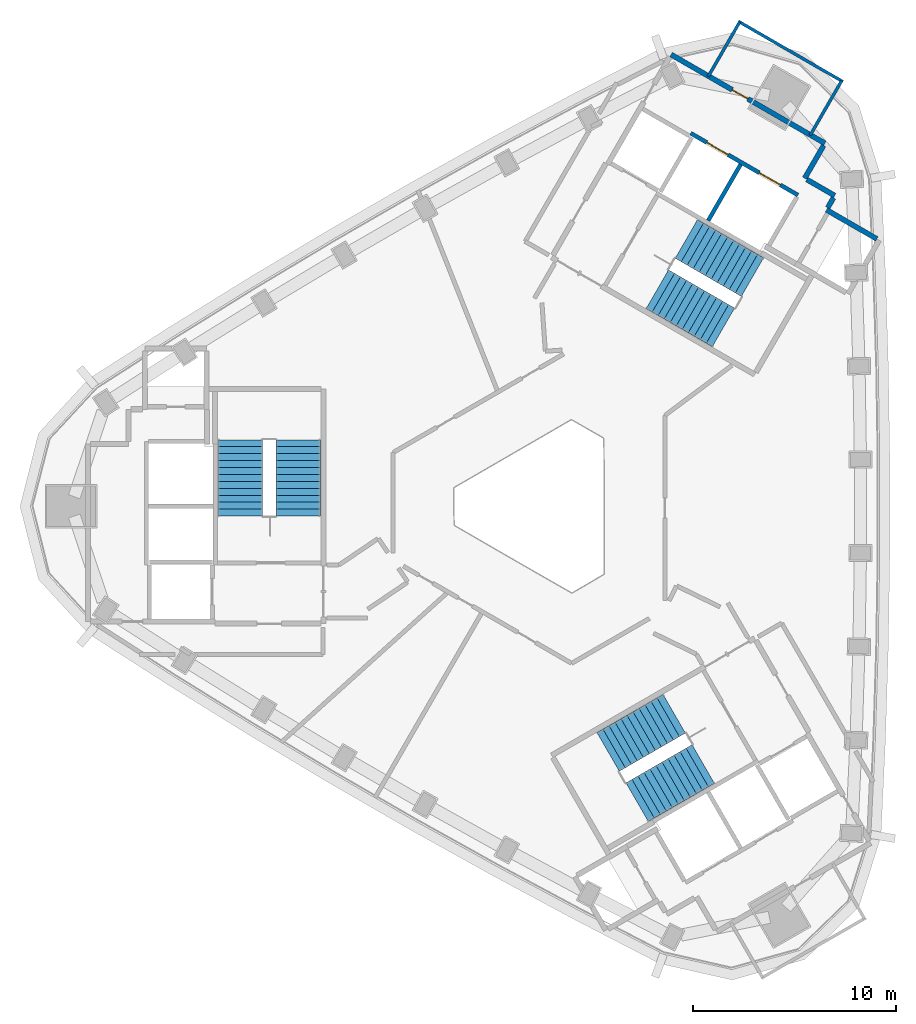
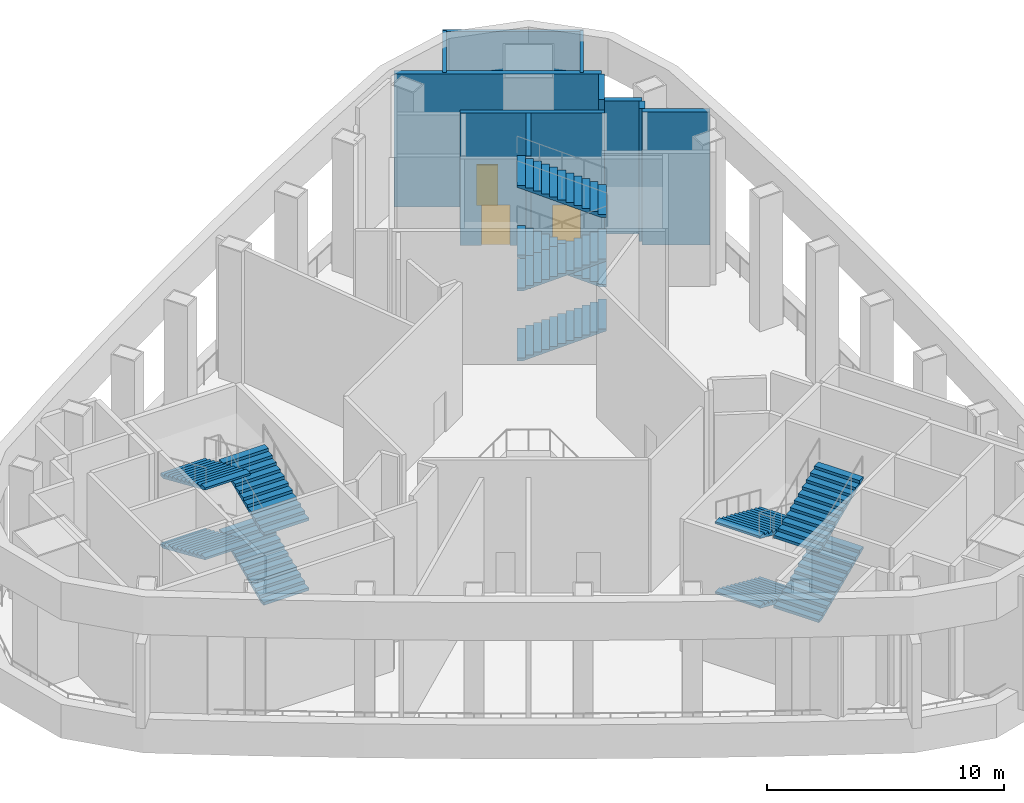
# One storey, part 5 of 8: 12 stair flights, 10 walls, 3 doors, 3 openings, 3 elements without a shape of their own.
"""IFC4 building model written with IfcOpenShell, lengths in metres."""

from ifc_helpers import new_model, si_unit, direction, frame, frame_2d, origin, place, context, subcontext, project, spatial, polyline, rectangle, outline, extrude, material, layer, layer_set, type_object, element, fill, aggregate, save


model = new_model("IFC4")

# Units and contexts
model_context = context("Model", 3, precision=1e-05, world=origin(), true_north=direction((0.0, 1.0)))
body_context = subcontext(model_context, "Body", "Model", "MODEL_VIEW")
ifc_project = project(units=[si_unit("LENGTHUNIT", "METRE"), si_unit("AREAUNIT", "SQUARE_METRE"), si_unit("VOLUMEUNIT", "CUBIC_METRE"), si_unit("PLANEANGLEUNIT", "RADIAN"), si_unit("MASSUNIT", "GRAM", prefix="KILO")], contexts=[model_context])

# Site, building, storey
site_placement = place(None, origin())
site = spatial("IfcSite", under=ifc_project, at=site_placement, CompositionType="ELEMENT")
building_placement = place(site_placement, origin())
building = spatial("IfcBuilding", under=site, at=building_placement, Name="Tamra Quay Hotel Tower", CompositionType="ELEMENT")
storey_placement = place(building_placement, frame((0.0, 0.0, 283.800048828125)))
storey = spatial("IfcBuildingStorey", under=building, at=storey_placement, Name="L72", CompositionType="ELEMENT", Elevation=283.800048828125)

# Wall, openings, doors
ifc_material_1 = material(Name="Concrete M70", Category="concrete")
ifc_layer_1 = layer(ifc_material_1, 0.199951171875)
ifc_layer_set_1 = layer_set([ifc_layer_1], Name="Concrete M70 core wall 200")
wall_type_1 = type_object("IfcWallType", Name="Concrete M70 core wall 200", PredefinedType="SHEAR", material=ifc_layer_set_1)
wall_1_placement = place(storey_placement, frame((12.552490234375, 15.341552734375, 0.0), z_axis=(0.0, 0.0, 1.0), x_axis=(-0.866030299012, 0.499991521122, 0.0)))
wall_1 = element("IfcWall", 1, at=wall_1_placement, inside=storey, type_object=wall_type_1, Name="CW2", PredefinedType="SHEAR", context=body_context, shape_type="SweptSolid", body=[
    extrude(rectangle(XDim=6.10009765625, YDim=0.199951171875, at=frame_2d((3.050048828125, 0.0))), origin(), (0.0, 0.0, 1.0), 6.849853515625),
])
opening_1_placement = place(wall_1_placement, frame((1.0, 0.0, 0.0)))
opening_1 = element("IfcOpeningElement", 2, at=opening_1_placement, cuts=wall_1, Name="Opening LD", PredefinedType="OPENING", context=body_context, shape_type="SweptSolid", body=[
    extrude(rectangle(XDim=1.199951171875, YDim=2.10009765625, at=frame_2d((0.60009765625, 1.050048828125))), frame((0.0, 0.10986328125, 0.0), z_axis=(0.0, -1.0, 0.0), x_axis=(1.0, 0.0, 0.0)), (0.0, 0.0, 1.0), 0.219970703125),
])
opening_2_placement = place(wall_1_placement, frame((3.982177734375, 0.0, 0.0)))
opening_2 = element("IfcOpeningElement", 3, at=opening_2_placement, cuts=wall_1, Name="Opening LD", PredefinedType="OPENING", context=body_context, shape_type="SweptSolid", body=[
    extrude(rectangle(XDim=1.199951171875, YDim=2.10009765625, at=frame_2d((0.60009765625, 1.050048828125))), frame((0.0, 0.10986328125, 0.0), z_axis=(0.0, -1.0, 0.0), x_axis=(1.0, 0.0, 0.0)), (0.0, 0.0, 1.0), 0.219970703125),
])
ifc_material_2 = material(Name="Landing door LD 1200 double door sliding")
door_type_1 = type_object("IfcDoorType", Name="Landing door LD 1200 double door sliding", OperationType="DOUBLE_DOOR_SLIDING", PredefinedType="DOOR", material=ifc_material_2)
door_1_placement = place(opening_1_placement, origin())
door_1 = element("IfcDoor", 4, at=door_1_placement, inside=storey, type_object=door_type_1, Name="LD", OperationType="DOUBLE_DOOR_SLIDING", OverallHeight=2.10009765625, OverallWidth=1.199951171875, PredefinedType="DOOR", context=body_context, shape_type="SweptSolid", body=[
    extrude(rectangle(XDim=1.199951171875, YDim=2.10009765625, at=frame_2d((0.60009765625, 1.050048828125))), frame((0.0, 0.02490234375, 0.0), z_axis=(0.0, -1.0, 0.0), x_axis=(1.0, 0.0, 0.0)), (0.0, 0.0, 1.0), 0.050048828125),
])
fill(opening_1, door_1)
door_2_placement = place(opening_2_placement, origin())
door_2 = element("IfcDoor", 5, at=door_2_placement, inside=storey, type_object=door_type_1, Name="LD", OperationType="DOUBLE_DOOR_SLIDING", OverallHeight=2.10009765625, OverallWidth=1.199951171875, PredefinedType="DOOR", context=body_context, shape_type="SweptSolid", body=[
    extrude(rectangle(XDim=1.199951171875, YDim=2.10009765625, at=frame_2d((0.60009765625, 1.050048828125))), frame((0.0, 0.02490234375, 0.0), z_axis=(0.0, -1.0, 0.0), x_axis=(1.0, 0.0, 0.0)), (0.0, 0.0, 1.0), 0.050048828125),
])
fill(opening_2, door_2)

# Wall
wall_2_placement = place(storey_placement, frame((8.131591796875, 14.08447265625, 0.0), z_axis=(0.0, 0.0, 1.0), x_axis=(0.500030834389, 0.86600760081, 0.0)))
element("IfcWall", 6, at=wall_2_placement, inside=storey, type_object=wall_type_1, Name="CW2", PredefinedType="SHEAR", context=body_context, shape_type="SweptSolid", body=[
    extrude(rectangle(XDim=3.197998046875, YDim=0.199951171875, at=frame_2d((1.59912109375, 0.0))), origin(), (0.0, 0.0, 1.0), 6.849853515625),
])

# Wall, opening, door
ifc_layer_2 = layer(ifc_material_1, 0.25)
ifc_layer_set_2 = layer_set([ifc_layer_2], Name="Concrete M70 core wall 250")
wall_type_2 = type_object("IfcWallType", Name="Concrete M70 core wall 250", PredefinedType="SHEAR", material=ifc_layer_set_2)
wall_3_placement = place(storey_placement, frame((6.303955078125, 22.268798828125, 0.0), z_axis=(0.0, 0.0, 1.0), x_axis=(0.866022959057, -0.500004234368, 0.0)))
wall_3 = element("IfcWall", 7, at=wall_3_placement, inside=storey, type_object=wall_type_2, Name="CW1", PredefinedType="SHEAR", context=body_context, shape_type="SweptSolid", body=[
    extrude(rectangle(XDim=8.75, YDim=0.25, at=frame_2d((4.375, 0.0))), origin(), (0.0, 0.0, 1.0), 6.849853515625),
])
opening_3_placement = place(wall_3_placement, frame((3.47509765625, 0.0, 0.0)))
opening_3 = element("IfcOpeningElement", 8, at=opening_3_placement, cuts=wall_3, Name="Opening D2", PredefinedType="OPENING", context=body_context, shape_type="SweptSolid", body=[
    extrude(rectangle(XDim=0.89990234375, YDim=2.10009765625, at=frame_2d((0.449951171875, 1.050048828125))), frame((0.0, 0.135009765625, 0.0), z_axis=(0.0, -1.0, 0.0), x_axis=(1.0, 0.0, 0.0)), (0.0, 0.0, 1.0), 0.27001953125),
])
ifc_material_3 = material(Name="Core door D2 900x2100 LH")
door_type_2 = type_object("IfcDoorType", Name="Core door D2 900x2100 LH", OperationType="NOTDEFINED", PredefinedType="DOOR", material=ifc_material_3)
door_3_placement = place(opening_3_placement, origin())
door_3 = element("IfcDoor", 9, at=door_3_placement, inside=storey, type_object=door_type_2, Name="D2", OperationType="SINGLE_SWING_LEFT", OverallHeight=2.10009765625, OverallWidth=0.89990234375, PredefinedType="DOOR", context=body_context, shape_type="SweptSolid", body=[
    extrude(rectangle(XDim=0.89990234375, YDim=2.10009765625, at=frame_2d((0.449951171875, 1.050048828125))), frame((0.0, 0.02490234375, 0.0), z_axis=(0.0, -1.0, 0.0), x_axis=(1.0, 0.0, 0.0)), (0.0, 0.0, 1.0), 0.050048828125),
])
fill(opening_3, door_3)

# Walls
wall_4_placement = place(storey_placement, frame((13.962646484375, 14.61376953125, 0.0), z_axis=(0.0, 0.0, 1.0), x_axis=(0.866042235819, -0.499970844928, 0.0)))
element("IfcWall", 10, at=wall_4_placement, inside=storey, type_object=wall_type_2, Name="CW1", PredefinedType="SHEAR", context=body_context, shape_type="SweptSolid", body=[
    extrude(rectangle(XDim=2.864501953125, YDim=0.25, at=frame_2d((1.43212890625, 0.0))), origin(), (0.0, 0.0, 1.0), 6.849853515625),
])
wall_5_placement = place(storey_placement, frame((13.819091796875, 17.78515625, 0.0), z_axis=(0.0, 0.0, 1.0), x_axis=(-0.500039802285, -0.866002422705, 0.0)))
element("IfcWall", 11, at=wall_5_placement, inside=storey, type_object=wall_type_2, Name="CW1", PredefinedType="SHEAR", context=body_context, shape_type="SweptSolid", body=[
    extrude(rectangle(XDim=1.864501953125, YDim=0.25, at=frame_2d((0.93212890625, 0.0))), origin(), (0.0, 0.0, 1.0), 6.849853515625),
])
wall_6_placement = place(storey_placement, frame((12.995361328125, 16.107666015625, 0.0), z_axis=(0.0, 0.0, 1.0), x_axis=(0.866044474677, -0.49996696679, 0.0)))
element("IfcWall", 12, at=wall_6_placement, inside=storey, type_object=wall_type_2, Name="CW1", PredefinedType="SHEAR", context=body_context, shape_type="SweptSolid", body=[
    extrude(rectangle(XDim=1.58447265625, YDim=0.25, at=frame_2d((0.792236328125, 0.0))), origin(), (0.0, 0.0, 1.0), 6.849853515625),
])
wall_7_placement = place(storey_placement, frame((14.304931640625, 15.206787109375, 0.0), z_axis=(0.0, 0.0, 1.0), x_axis=(-0.499848422343, -0.866112899501, 0.0)))
element("IfcWall", 13, at=wall_7_placement, inside=storey, type_object=wall_type_2, Name="CW1", PredefinedType="SHEAR", context=body_context, shape_type="SweptSolid", body=[
    extrude(rectangle(XDim=0.559326171875, YDim=0.25, at=frame_2d((0.27978515625, 0.0))), origin(), (0.0, 0.0, 1.0), 6.849853515625),
])
ifc_material_4 = material(Name="Blockwork", Category="masonry")
ifc_layer_3 = layer(ifc_material_4, 0.14990234375)
ifc_layer_set_3 = layer_set([ifc_layer_3], Name="Core partition block 150")
wall_type_3 = type_object("IfcWallType", Name="Core partition block 150", PredefinedType="PARTITIONING", material=ifc_layer_set_3)
wall_8_placement = place(storey_placement, frame((8.1318359375, 21.1845703125, 0.0), z_axis=(0.0, 0.0, 1.0), x_axis=(0.49999285859, 0.86602952684, 0.0)))
element("IfcWall", 14, at=wall_8_placement, inside=storey, type_object=wall_type_3, Name="CP1", PredefinedType="PARTITIONING", context=body_context, shape_type="SweptSolid", body=[
    extrude(rectangle(XDim=3.10009765625, YDim=0.14990234375, at=frame_2d((1.550048828125, 0.0))), origin(), (0.0, 0.0, 1.0), 6.849853515625),
])
wall_9_placement = place(storey_placement, frame((9.61669921875, 23.90673828125, 0.0), z_axis=(0.0, 0.0, 1.0), x_axis=(0.866045517703, -0.499965160052, 0.0)))
element("IfcWall", 15, at=wall_9_placement, inside=storey, type_object=wall_type_3, Name="CP1", PredefinedType="PARTITIONING", context=body_context, shape_type="SweptSolid", body=[
    extrude(rectangle(XDim=5.9501953125, YDim=0.14990234375, at=frame_2d((2.97509765625, 0.0))), origin(), (0.0, 0.0, 1.0), 6.849853515625),
])
wall_10_placement = place(storey_placement, frame((14.70458984375, 20.96923828125, 0.0), z_axis=(0.0, 0.0, 1.0), x_axis=(-0.499967891604, -0.866043940782, 0.0)))
element("IfcWall", 16, at=wall_10_placement, inside=storey, type_object=wall_type_3, Name="CP1", PredefinedType="PARTITIONING", context=body_context, shape_type="SweptSolid", body=[
    extrude(rectangle(XDim=3.099853515625, YDim=0.14990234375, at=frame_2d((1.5498046875, 0.0))), origin(), (0.0, 0.0, 1.0), 6.849853515625),
])

# Stair, stair flights
ifc_material_5 = material(Name="Exit stair 2200 48 risers 150.0 going 342")
stair_type = type_object("IfcStairType", Name="Exit stair 2200 48 risers 150.0 going 342", PredefinedType="HALF_TURN_STAIR", material=ifc_material_5)
stair_1_placement = place(storey_placement, origin())
stair_1 = element("IfcStair", 17, at=stair_1_placement, inside=storey, type_object=stair_type, Name="L72 Exit stair ST3", PredefinedType="HALF_TURN_STAIR")
ifc_material_6 = material(Name="Exit stair flight 2200 12 risers 150.0")
stair_flight_type = type_object("IfcStairFlightType", Name="Exit stair flight 2200 12 risers 150.0", PredefinedType="STRAIGHT", material=ifc_material_6)
stair_flight_1_placement = place(storey_placement, frame((-12.082275390625, -0.47998046875, 0.0), z_axis=(0.0, 0.0, 1.0), x_axis=(0.0, 1.0, 0.0)))
stair_flight_1 = element("IfcStairFlight", 18, at=stair_flight_1_placement, type_object=stair_flight_type, Name="ST3 flight 1", NumberOfRisers=12, NumberOfTreads=11, PredefinedType="STRAIGHT", RiserHeight=0.15, TreadLength=0.342, context=body_context, shape_type="SweptSolid", body=[
    extrude(outline(polyline([(0.0, 0.0), (0.0, 0.14990234375), (0.342041015625, 0.14990234375), (0.342041015625, 0.300048828125), (0.68408203125, 0.300048828125), (0.68408203125, 0.449951171875), (1.02587890625, 0.449951171875), (1.02587890625, 0.60009765625), (1.367919921875, 0.60009765625), (1.367919921875, 0.75), (1.7099609375, 0.75), (1.7099609375, 0.89990234375), (2.052001953125, 0.89990234375), (2.052001953125, 1.050048828125), (2.39404296875, 1.050048828125), (2.39404296875, 1.199951171875), (2.736083984375, 1.199951171875), (2.736083984375, 1.35009765625), (3.077880859375, 1.35009765625), (3.077880859375, 1.5), (3.419921875, 1.5), (3.419921875, 1.64990234375), (3.761962890625, 1.64990234375), (3.761962890625, 1.800048828125), (3.761962890625, 1.540771484375), (0.249267578125, 0.0), (0.0, 0.0)])), frame((0.0, 1.10009765625, 0.0), z_axis=(0.0, -1.0, 0.0), x_axis=(1.0, 0.0, 0.0)), (0.0, 0.0, 1.0), 2.199951171875),
])
stair_flight_2_placement = place(storey_placement, frame((-14.94140625, 3.281982421875, 1.800048828125), z_axis=(0.0, 0.0, 1.0), x_axis=(0.0, -1.0, 0.0)))
stair_flight_2 = element("IfcStairFlight", 19, at=stair_flight_2_placement, type_object=stair_flight_type, Name="ST3 flight 2", NumberOfRisers=12, NumberOfTreads=11, PredefinedType="STRAIGHT", RiserHeight=0.15, TreadLength=0.342, context=body_context, shape_type="SweptSolid", body=[
    extrude(outline(polyline([(0.0, 0.0), (0.0, 0.14990234375), (0.342041015625, 0.14990234375), (0.342041015625, 0.300048828125), (0.68408203125, 0.300048828125), (0.68408203125, 0.449951171875), (1.02587890625, 0.449951171875), (1.02587890625, 0.60009765625), (1.367919921875, 0.60009765625), (1.367919921875, 0.75), (1.7099609375, 0.75), (1.7099609375, 0.89990234375), (2.052001953125, 0.89990234375), (2.052001953125, 1.050048828125), (2.39404296875, 1.050048828125), (2.39404296875, 1.199951171875), (2.736083984375, 1.199951171875), (2.736083984375, 1.35009765625), (3.077880859375, 1.35009765625), (3.077880859375, 1.5), (3.419921875, 1.5), (3.419921875, 1.64990234375), (3.761962890625, 1.64990234375), (3.761962890625, 1.800048828125), (3.761962890625, 1.540771484375), (0.249267578125, 0.0), (0.0, 0.0)])), frame((0.0, 1.10009765625, 0.0), z_axis=(0.0, -1.0, 0.0), x_axis=(1.0, 0.0, 0.0)), (0.0, 0.0, 1.0), 2.199951171875),
])
stair_flight_3_placement = place(storey_placement, frame((-12.082275390625, -0.47998046875, 3.599853515625), z_axis=(0.0, 0.0, 1.0), x_axis=(0.0, 1.0, 0.0)))
stair_flight_3 = element("IfcStairFlight", 20, at=stair_flight_3_placement, type_object=stair_flight_type, Name="ST3 flight 3", NumberOfRisers=12, NumberOfTreads=11, PredefinedType="STRAIGHT", RiserHeight=0.15, TreadLength=0.342, context=body_context, shape_type="SweptSolid", body=[
    extrude(outline(polyline([(0.0, 0.0), (0.0, 0.14990234375), (0.342041015625, 0.14990234375), (0.342041015625, 0.300048828125), (0.68408203125, 0.300048828125), (0.68408203125, 0.449951171875), (1.02587890625, 0.449951171875), (1.02587890625, 0.60009765625), (1.367919921875, 0.60009765625), (1.367919921875, 0.75), (1.7099609375, 0.75), (1.7099609375, 0.89990234375), (2.052001953125, 0.89990234375), (2.052001953125, 1.050048828125), (2.39404296875, 1.050048828125), (2.39404296875, 1.199951171875), (2.736083984375, 1.199951171875), (2.736083984375, 1.35009765625), (3.077880859375, 1.35009765625), (3.077880859375, 1.5), (3.419921875, 1.5), (3.419921875, 1.64990234375), (3.761962890625, 1.64990234375), (3.761962890625, 1.800048828125), (3.761962890625, 1.540771484375), (0.249267578125, 0.0), (0.0, 0.0)])), frame((0.0, 1.10009765625, 0.0), z_axis=(0.0, -1.0, 0.0), x_axis=(1.0, 0.0, 0.0)), (0.0, 0.0, 1.0), 2.199951171875),
])
stair_flight_4_placement = place(storey_placement, frame((-14.94140625, 3.281982421875, 5.39990234375), z_axis=(0.0, 0.0, 1.0), x_axis=(0.0, -1.0, 0.0)))
stair_flight_4 = element("IfcStairFlight", 21, at=stair_flight_4_placement, type_object=stair_flight_type, Name="ST3 flight 4", NumberOfRisers=12, NumberOfTreads=11, PredefinedType="STRAIGHT", RiserHeight=0.15, TreadLength=0.342, context=body_context, shape_type="SweptSolid", body=[
    extrude(outline(polyline([(0.0, 0.0), (0.0, 0.14990234375), (0.342041015625, 0.14990234375), (0.342041015625, 0.300048828125), (0.68408203125, 0.300048828125), (0.68408203125, 0.449951171875), (1.02587890625, 0.449951171875), (1.02587890625, 0.60009765625), (1.367919921875, 0.60009765625), (1.367919921875, 0.75), (1.7099609375, 0.75), (1.7099609375, 0.89990234375), (2.052001953125, 0.89990234375), (2.052001953125, 1.050048828125), (2.39404296875, 1.050048828125), (2.39404296875, 1.199951171875), (2.736083984375, 1.199951171875), (2.736083984375, 1.35009765625), (3.077880859375, 1.35009765625), (3.077880859375, 1.5), (3.419921875, 1.5), (3.419921875, 1.64990234375), (3.761962890625, 1.64990234375), (3.761962890625, 1.800048828125), (3.761962890625, 1.540771484375), (0.249267578125, 0.0), (0.0, 0.0)])), frame((0.0, 1.10009765625, 0.0), z_axis=(0.0, -1.0, 0.0), x_axis=(1.0, 0.0, 0.0)), (0.0, 0.0, 1.0), 2.199951171875),
])
aggregate(stair_1, [stair_flight_1, stair_flight_2, stair_flight_3, stair_flight_4])

stair_2_placement = place(storey_placement, origin())
stair_2 = element("IfcStair", 22, at=stair_2_placement, inside=storey, type_object=stair_type, Name="L72 Exit stair ST1", PredefinedType="HALF_TURN_STAIR")
stair_flight_5_placement = place(storey_placement, frame((5.625244140625, 10.70361328125, 0.0), z_axis=(0.0, 0.0, 1.0), x_axis=(0.866025403784, -0.5, 0.0)))
stair_flight_5 = element("IfcStairFlight", 23, at=stair_flight_5_placement, type_object=stair_flight_type, Name="ST1 flight 1", NumberOfRisers=12, NumberOfTreads=11, PredefinedType="STRAIGHT", RiserHeight=0.15, TreadLength=0.342, context=body_context, shape_type="SweptSolid", body=[
    extrude(outline(polyline([(0.0, 0.0), (0.0, 0.14990234375), (0.342041015625, 0.14990234375), (0.342041015625, 0.300048828125), (0.68408203125, 0.300048828125), (0.68408203125, 0.449951171875), (1.02587890625, 0.449951171875), (1.02587890625, 0.60009765625), (1.367919921875, 0.60009765625), (1.367919921875, 0.75), (1.7099609375, 0.75), (1.7099609375, 0.89990234375), (2.052001953125, 0.89990234375), (2.052001953125, 1.050048828125), (2.39404296875, 1.050048828125), (2.39404296875, 1.199951171875), (2.736083984375, 1.199951171875), (2.736083984375, 1.35009765625), (3.077880859375, 1.35009765625), (3.077880859375, 1.5), (3.419921875, 1.5), (3.419921875, 1.64990234375), (3.761962890625, 1.64990234375), (3.761962890625, 1.800048828125), (3.761962890625, 1.540771484375), (0.249267578125, 0.0), (0.0, 0.0)])), frame((0.0, 1.10009765625, 0.0), z_axis=(0.0, -1.0, 0.0), x_axis=(1.0, 0.0, 0.0)), (0.0, 0.0, 1.0), 2.199951171875),
])
stair_flight_6_placement = place(storey_placement, frame((10.312744140625, 11.298583984375, 1.800048828125), z_axis=(0.0, 0.0, 1.0), x_axis=(-0.866025403784, 0.5, 0.0)))
stair_flight_6 = element("IfcStairFlight", 24, at=stair_flight_6_placement, type_object=stair_flight_type, Name="ST1 flight 2", NumberOfRisers=12, NumberOfTreads=11, PredefinedType="STRAIGHT", RiserHeight=0.15, TreadLength=0.342, context=body_context, shape_type="SweptSolid", body=[
    extrude(outline(polyline([(0.0, 0.0), (0.0, 0.14990234375), (0.342041015625, 0.14990234375), (0.342041015625, 0.300048828125), (0.68408203125, 0.300048828125), (0.68408203125, 0.449951171875), (1.02587890625, 0.449951171875), (1.02587890625, 0.60009765625), (1.367919921875, 0.60009765625), (1.367919921875, 0.75), (1.7099609375, 0.75), (1.7099609375, 0.89990234375), (2.052001953125, 0.89990234375), (2.052001953125, 1.050048828125), (2.39404296875, 1.050048828125), (2.39404296875, 1.199951171875), (2.736083984375, 1.199951171875), (2.736083984375, 1.35009765625), (3.077880859375, 1.35009765625), (3.077880859375, 1.5), (3.419921875, 1.5), (3.419921875, 1.64990234375), (3.761962890625, 1.64990234375), (3.761962890625, 1.800048828125), (3.761962890625, 1.540771484375), (0.249267578125, 0.0), (0.0, 0.0)])), frame((0.0, 1.10009765625, 0.0), z_axis=(0.0, -1.0, 0.0), x_axis=(1.0, 0.0, 0.0)), (0.0, 0.0, 1.0), 2.199951171875),
])
stair_flight_7_placement = place(storey_placement, frame((5.625244140625, 10.70361328125, 3.599853515625), z_axis=(0.0, 0.0, 1.0), x_axis=(0.866025403784, -0.5, 0.0)))
stair_flight_7 = element("IfcStairFlight", 25, at=stair_flight_7_placement, type_object=stair_flight_type, Name="ST1 flight 3", NumberOfRisers=12, NumberOfTreads=11, PredefinedType="STRAIGHT", RiserHeight=0.15, TreadLength=0.342, context=body_context, shape_type="SweptSolid", body=[
    extrude(outline(polyline([(0.0, 0.0), (0.0, 0.14990234375), (0.342041015625, 0.14990234375), (0.342041015625, 0.300048828125), (0.68408203125, 0.300048828125), (0.68408203125, 0.449951171875), (1.02587890625, 0.449951171875), (1.02587890625, 0.60009765625), (1.367919921875, 0.60009765625), (1.367919921875, 0.75), (1.7099609375, 0.75), (1.7099609375, 0.89990234375), (2.052001953125, 0.89990234375), (2.052001953125, 1.050048828125), (2.39404296875, 1.050048828125), (2.39404296875, 1.199951171875), (2.736083984375, 1.199951171875), (2.736083984375, 1.35009765625), (3.077880859375, 1.35009765625), (3.077880859375, 1.5), (3.419921875, 1.5), (3.419921875, 1.64990234375), (3.761962890625, 1.64990234375), (3.761962890625, 1.800048828125), (3.761962890625, 1.540771484375), (0.249267578125, 0.0), (0.0, 0.0)])), frame((0.0, 1.10009765625, 0.0), z_axis=(0.0, -1.0, 0.0), x_axis=(1.0, 0.0, 0.0)), (0.0, 0.0, 1.0), 2.199951171875),
])
stair_flight_8_placement = place(storey_placement, frame((10.312744140625, 11.298583984375, 5.39990234375), z_axis=(0.0, 0.0, 1.0), x_axis=(-0.866025403784, 0.5, 0.0)))
stair_flight_8 = element("IfcStairFlight", 26, at=stair_flight_8_placement, type_object=stair_flight_type, Name="ST1 flight 4", NumberOfRisers=12, NumberOfTreads=11, PredefinedType="STRAIGHT", RiserHeight=0.15, TreadLength=0.342, context=body_context, shape_type="SweptSolid", body=[
    extrude(outline(polyline([(0.0, 0.0), (0.0, 0.14990234375), (0.342041015625, 0.14990234375), (0.342041015625, 0.300048828125), (0.68408203125, 0.300048828125), (0.68408203125, 0.449951171875), (1.02587890625, 0.449951171875), (1.02587890625, 0.60009765625), (1.367919921875, 0.60009765625), (1.367919921875, 0.75), (1.7099609375, 0.75), (1.7099609375, 0.89990234375), (2.052001953125, 0.89990234375), (2.052001953125, 1.050048828125), (2.39404296875, 1.050048828125), (2.39404296875, 1.199951171875), (2.736083984375, 1.199951171875), (2.736083984375, 1.35009765625), (3.077880859375, 1.35009765625), (3.077880859375, 1.5), (3.419921875, 1.5), (3.419921875, 1.64990234375), (3.761962890625, 1.64990234375), (3.761962890625, 1.800048828125), (3.761962890625, 1.540771484375), (0.249267578125, 0.0), (0.0, 0.0)])), frame((0.0, 1.10009765625, 0.0), z_axis=(0.0, -1.0, 0.0), x_axis=(1.0, 0.0, 0.0)), (0.0, 0.0, 1.0), 2.199951171875),
])
aggregate(stair_2, [stair_flight_5, stair_flight_6, stair_flight_7, stair_flight_8])

stair_3_placement = place(storey_placement, origin())
stair_3 = element("IfcStair", 27, at=stair_3_placement, inside=storey, type_object=stair_type, Name="L72 Exit stair ST2", PredefinedType="HALF_TURN_STAIR")
stair_flight_9_placement = place(storey_placement, frame((6.45703125, -10.2236328125, 0.0), z_axis=(0.0, 0.0, 1.0), x_axis=(-0.866025403784, -0.5, 0.0)))
stair_flight_9 = element("IfcStairFlight", 28, at=stair_flight_9_placement, type_object=stair_flight_type, Name="ST2 flight 1", NumberOfRisers=12, NumberOfTreads=11, PredefinedType="STRAIGHT", RiserHeight=0.15, TreadLength=0.342, context=body_context, shape_type="SweptSolid", body=[
    extrude(outline(polyline([(0.0, 0.0), (0.0, 0.14990234375), (0.342041015625, 0.14990234375), (0.342041015625, 0.300048828125), (0.68408203125, 0.300048828125), (0.68408203125, 0.449951171875), (1.02587890625, 0.449951171875), (1.02587890625, 0.60009765625), (1.367919921875, 0.60009765625), (1.367919921875, 0.75), (1.7099609375, 0.75), (1.7099609375, 0.89990234375), (2.052001953125, 0.89990234375), (2.052001953125, 1.050048828125), (2.39404296875, 1.050048828125), (2.39404296875, 1.199951171875), (2.736083984375, 1.199951171875), (2.736083984375, 1.35009765625), (3.077880859375, 1.35009765625), (3.077880859375, 1.5), (3.419921875, 1.5), (3.419921875, 1.64990234375), (3.761962890625, 1.64990234375), (3.761962890625, 1.800048828125), (3.761962890625, 1.540771484375), (0.249267578125, 0.0), (0.0, 0.0)])), frame((0.0, 1.10009765625, 0.0), z_axis=(0.0, -1.0, 0.0), x_axis=(1.0, 0.0, 0.0)), (0.0, 0.0, 1.0), 2.199951171875),
])
stair_flight_10_placement = place(storey_placement, frame((4.62841796875, -14.58056640625, 1.800048828125), z_axis=(0.0, 0.0, 1.0), x_axis=(0.866025403784, 0.5, 0.0)))
stair_flight_10 = element("IfcStairFlight", 29, at=stair_flight_10_placement, type_object=stair_flight_type, Name="ST2 flight 2", NumberOfRisers=12, NumberOfTreads=11, PredefinedType="STRAIGHT", RiserHeight=0.15, TreadLength=0.342, context=body_context, shape_type="SweptSolid", body=[
    extrude(outline(polyline([(0.0, 0.0), (0.0, 0.14990234375), (0.342041015625, 0.14990234375), (0.342041015625, 0.300048828125), (0.68408203125, 0.300048828125), (0.68408203125, 0.449951171875), (1.02587890625, 0.449951171875), (1.02587890625, 0.60009765625), (1.367919921875, 0.60009765625), (1.367919921875, 0.75), (1.7099609375, 0.75), (1.7099609375, 0.89990234375), (2.052001953125, 0.89990234375), (2.052001953125, 1.050048828125), (2.39404296875, 1.050048828125), (2.39404296875, 1.199951171875), (2.736083984375, 1.199951171875), (2.736083984375, 1.35009765625), (3.077880859375, 1.35009765625), (3.077880859375, 1.5), (3.419921875, 1.5), (3.419921875, 1.64990234375), (3.761962890625, 1.64990234375), (3.761962890625, 1.800048828125), (3.761962890625, 1.540771484375), (0.249267578125, 0.0), (0.0, 0.0)])), frame((0.0, 1.10009765625, 0.0), z_axis=(0.0, -1.0, 0.0), x_axis=(1.0, 0.0, 0.0)), (0.0, 0.0, 1.0), 2.199951171875),
])
stair_flight_11_placement = place(storey_placement, frame((6.45703125, -10.2236328125, 3.599853515625), z_axis=(0.0, 0.0, 1.0), x_axis=(-0.866025403784, -0.5, 0.0)))
stair_flight_11 = element("IfcStairFlight", 30, at=stair_flight_11_placement, type_object=stair_flight_type, Name="ST2 flight 3", NumberOfRisers=12, NumberOfTreads=11, PredefinedType="STRAIGHT", RiserHeight=0.15, TreadLength=0.342, context=body_context, shape_type="SweptSolid", body=[
    extrude(outline(polyline([(0.0, 0.0), (0.0, 0.14990234375), (0.342041015625, 0.14990234375), (0.342041015625, 0.300048828125), (0.68408203125, 0.300048828125), (0.68408203125, 0.449951171875), (1.02587890625, 0.449951171875), (1.02587890625, 0.60009765625), (1.367919921875, 0.60009765625), (1.367919921875, 0.75), (1.7099609375, 0.75), (1.7099609375, 0.89990234375), (2.052001953125, 0.89990234375), (2.052001953125, 1.050048828125), (2.39404296875, 1.050048828125), (2.39404296875, 1.199951171875), (2.736083984375, 1.199951171875), (2.736083984375, 1.35009765625), (3.077880859375, 1.35009765625), (3.077880859375, 1.5), (3.419921875, 1.5), (3.419921875, 1.64990234375), (3.761962890625, 1.64990234375), (3.761962890625, 1.800048828125), (3.761962890625, 1.540771484375), (0.249267578125, 0.0), (0.0, 0.0)])), frame((0.0, 1.10009765625, 0.0), z_axis=(0.0, -1.0, 0.0), x_axis=(1.0, 0.0, 0.0)), (0.0, 0.0, 1.0), 2.199951171875),
])
stair_flight_12_placement = place(storey_placement, frame((4.62841796875, -14.58056640625, 5.39990234375), z_axis=(0.0, 0.0, 1.0), x_axis=(0.866025403784, 0.5, 0.0)))
stair_flight_12 = element("IfcStairFlight", 31, at=stair_flight_12_placement, type_object=stair_flight_type, Name="ST2 flight 4", NumberOfRisers=12, NumberOfTreads=11, PredefinedType="STRAIGHT", RiserHeight=0.15, TreadLength=0.342, context=body_context, shape_type="SweptSolid", body=[
    extrude(outline(polyline([(0.0, 0.0), (0.0, 0.14990234375), (0.342041015625, 0.14990234375), (0.342041015625, 0.300048828125), (0.68408203125, 0.300048828125), (0.68408203125, 0.449951171875), (1.02587890625, 0.449951171875), (1.02587890625, 0.60009765625), (1.367919921875, 0.60009765625), (1.367919921875, 0.75), (1.7099609375, 0.75), (1.7099609375, 0.89990234375), (2.052001953125, 0.89990234375), (2.052001953125, 1.050048828125), (2.39404296875, 1.050048828125), (2.39404296875, 1.199951171875), (2.736083984375, 1.199951171875), (2.736083984375, 1.35009765625), (3.077880859375, 1.35009765625), (3.077880859375, 1.5), (3.419921875, 1.5), (3.419921875, 1.64990234375), (3.761962890625, 1.64990234375), (3.761962890625, 1.800048828125), (3.761962890625, 1.540771484375), (0.249267578125, 0.0), (0.0, 0.0)])), frame((0.0, 1.10009765625, 0.0), z_axis=(0.0, -1.0, 0.0), x_axis=(1.0, 0.0, 0.0)), (0.0, 0.0, 1.0), 2.199951171875),
])
aggregate(stair_3, [stair_flight_9, stair_flight_10, stair_flight_11, stair_flight_12])

save(model, "model.ifc")
